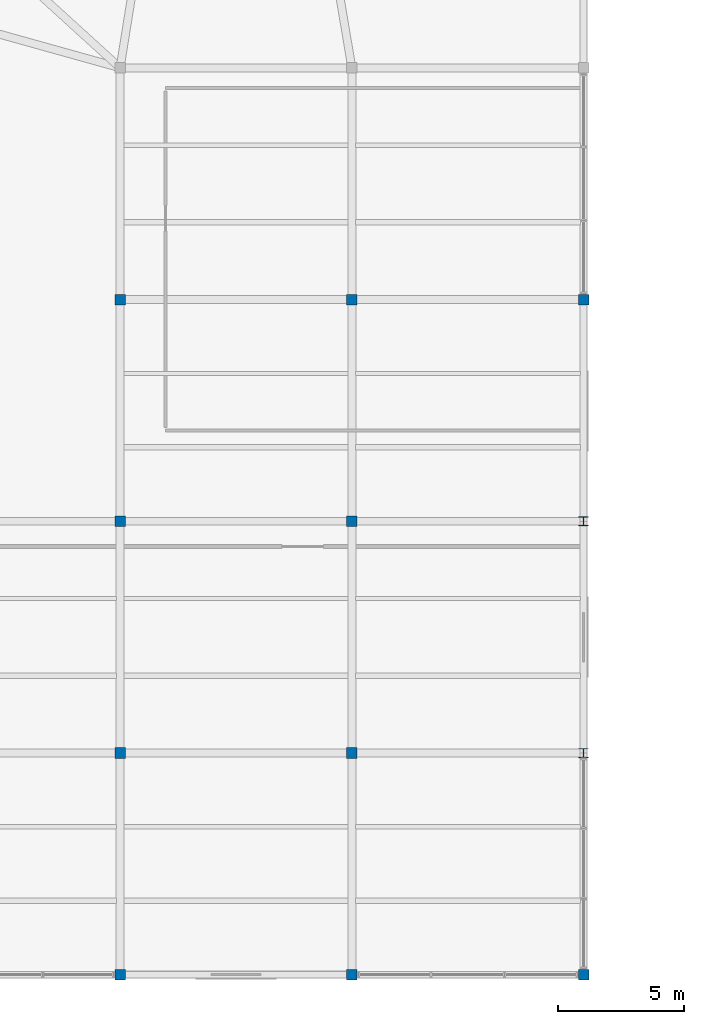
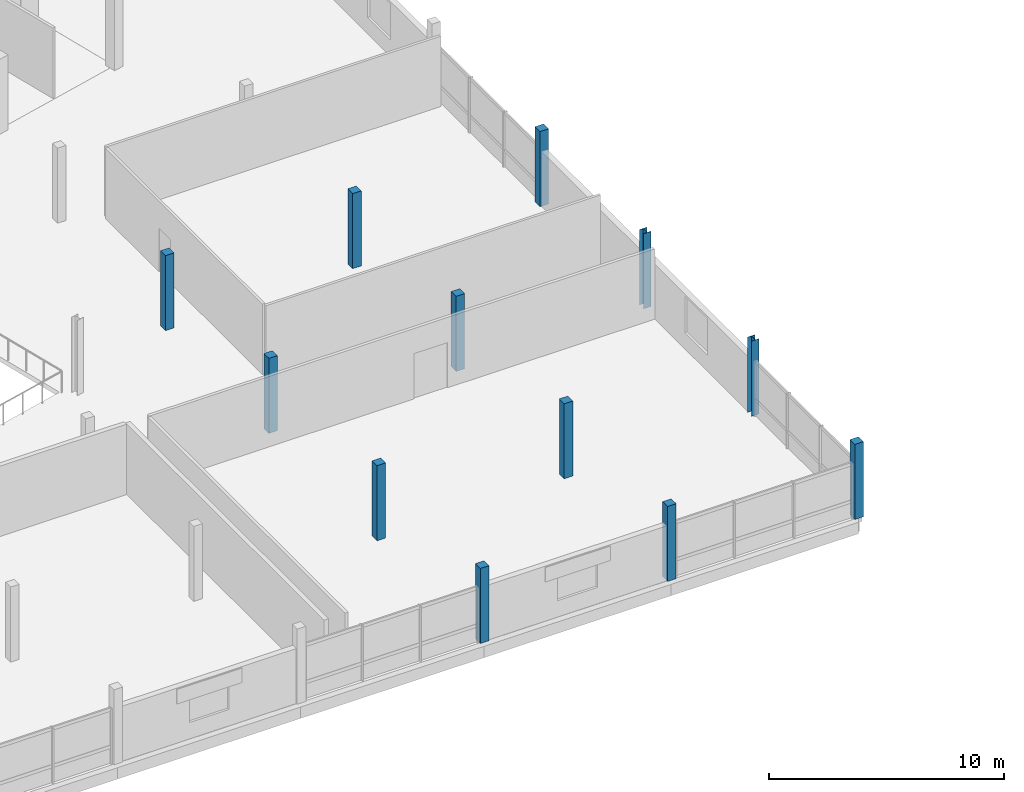
# One storey, part 2 of 47: 12 columns.
"""IFC4 building model written with IfcOpenShell, lengths in metres."""

from ifc_helpers import new_model, si_unit, direction, frame, origin, origin_2d, place, context, subcontext, project, spatial, rectangle, i_section, extrude, material, material_profile, profile_set, type_object, element, save


model = new_model("IFC4")

# Units and contexts
model_context = context("Model", 3, precision=1e-05, world=origin(), true_north=direction((0.0, 1.0)))
body_context = subcontext(model_context, "Body", "Model", "MODEL_VIEW")
ifc_project = project(units=[si_unit("LENGTHUNIT", "METRE"), si_unit("AREAUNIT", "SQUARE_METRE"), si_unit("VOLUMEUNIT", "CUBIC_METRE"), si_unit("PLANEANGLEUNIT", "RADIAN"), si_unit("MASSUNIT", "GRAM", prefix="KILO")], contexts=[model_context])

# Site, building, storey
site_placement = place(None, origin())
site = spatial("IfcSite", under=ifc_project, at=site_placement, CompositionType="ELEMENT")
building_placement = place(site_placement, origin())
building = spatial("IfcBuilding", under=site, at=building_placement, Name="Meriwether Solvik Hall", CompositionType="ELEMENT")
storey_placement = place(building_placement, frame((0.0, 0.0, 18.300048828125)))
storey = spatial("IfcBuildingStorey", under=building, at=storey_placement, Name="L04", CompositionType="ELEMENT", Elevation=18.300048828125)

# Columns
ifc_material_1 = material(Name="Glulam Douglas-Fir L2 GL28c", Category="wood")
ifc_material_profile_1 = material_profile(ifc_material_1, rectangle(XDim=0.419921875, YDim=0.419921875, at=origin_2d()), Name="GLC-420X420")
ifc_profile_set_1 = profile_set([ifc_material_profile_1], Name="Glulam Douglas-Fir L2 GL28c")
column_type_1 = type_object("IfcColumnType", Name="COL-GL-420X420", PredefinedType="COLUMN", material=ifc_profile_set_1)
for number, where, z_axis, x_axis, name in (
    (1, (95.800048828125, 5.199951171875, 0.0), (0.0, 0.0, 1.0), (1.0, 0.0, 0.0), "Podium Column 11/A (L04)"),
    (2, (95.800048828125, 14.0, 0.0), (0.0, 0.0, 1.0), (1.0, 0.0, 0.0), "Podium Column 11/B (L04)"),
    (3, (95.800048828125, 23.199951171875, 0.0), (0.0, 0.0, 1.0), (1.0, 0.0, 0.0), "Podium Column 11/C (L04)"),
    (4, (95.800048828125, 32.0, 0.0), (0.0, 0.0, 1.0), (1.0, 0.0, 0.0), "Podium Column 11/D (L04)"),
    (5, (105.0, 5.199951171875, 0.0), (0.0, 0.0, 1.0), (1.0, 0.0, 0.0), "Podium Column 12/A (L04)"),
    (6, (105.0, 14.0, 0.0), (0.0, 0.0, 1.0), (1.0, 0.0, 0.0), "Podium Column 12/B (L04)"),
    (7, (105.0, 23.199951171875, 0.0), (0.0, 0.0, 1.0), (1.0, 0.0, 0.0), "Podium Column 12/C (L04)"),
    (8, (105.0, 32.0, 0.0), (0.0, 0.0, 1.0), (1.0, 0.0, 0.0), "Podium Column 12/D (L04)"),
    (9, (114.199951171875, 5.199951171875, 0.0), (0.0, 0.0, 1.0), (1.0, 0.0, 0.0), "Podium Column 13/A (L04)"),
    (10, (114.199951171875, 32.0, 0.0), (0.0, 0.0, 1.0), (1.0, 0.0, 0.0), "Podium Column 13/D (L04)"),
):
    element("IfcColumn", number, at=place(storey_placement, frame(where, z_axis=z_axis, x_axis=x_axis)), inside=storey, type_object=column_type_1, Name=name, PredefinedType="COLUMN", context=body_context, shape_type="SweptSolid", body=[
        extrude(rectangle(XDim=0.419921875, YDim=0.419921875, at=origin_2d()), origin(), (0.0, 0.0, 1.0), 3.89990234375),
    ])
ifc_material_2 = material(Name="Steel A992 Grade 50", Category="steel")
ifc_material_profile_2 = material_profile(ifc_material_2, i_section(OverallWidth=0.368896484375, OverallDepth=0.35595703125, WebThickness=0.01123046875, FlangeThickness=0.01806640625, at=origin_2d()), Name="W14X90")
ifc_profile_set_2 = profile_set([ifc_material_profile_2], Name="Steel A992 Grade 50")
column_type_2 = type_object("IfcColumnType", Name="COL-STL-W14X90", PredefinedType="COLUMN", material=ifc_profile_set_2)
for number, where, z_axis, x_axis, name in (
    (11, (114.199951171875, 14.0, 0.0), (0.0, 0.0, 1.0), (1.0, 0.0, 0.0), "Podium Column 13/B (L04)"),
    (12, (114.199951171875, 23.199951171875, 0.0), (0.0, 0.0, 1.0), (1.0, 0.0, 0.0), "Podium Column 13/C (L04)"),
):
    element("IfcColumn", number, at=place(storey_placement, frame(where, z_axis=z_axis, x_axis=x_axis)), inside=storey, type_object=column_type_2, Name=name, PredefinedType="COLUMN", context=body_context, shape_type="SweptSolid", body=[
        extrude(i_section(OverallWidth=0.368896484375, OverallDepth=0.35595703125, WebThickness=0.01123046875, FlangeThickness=0.01806640625, at=origin_2d()), origin(), (0.0, 0.0, 1.0), 3.89990234375),
    ])

save(model, "model.ifc")
